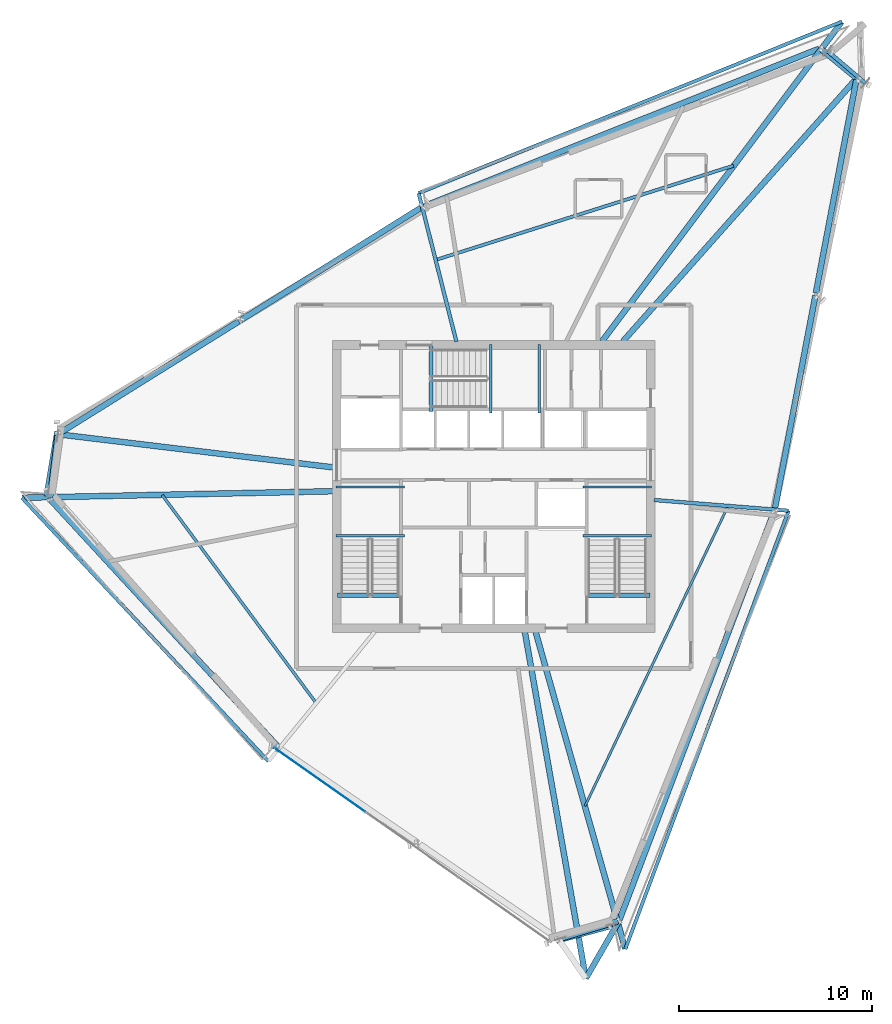
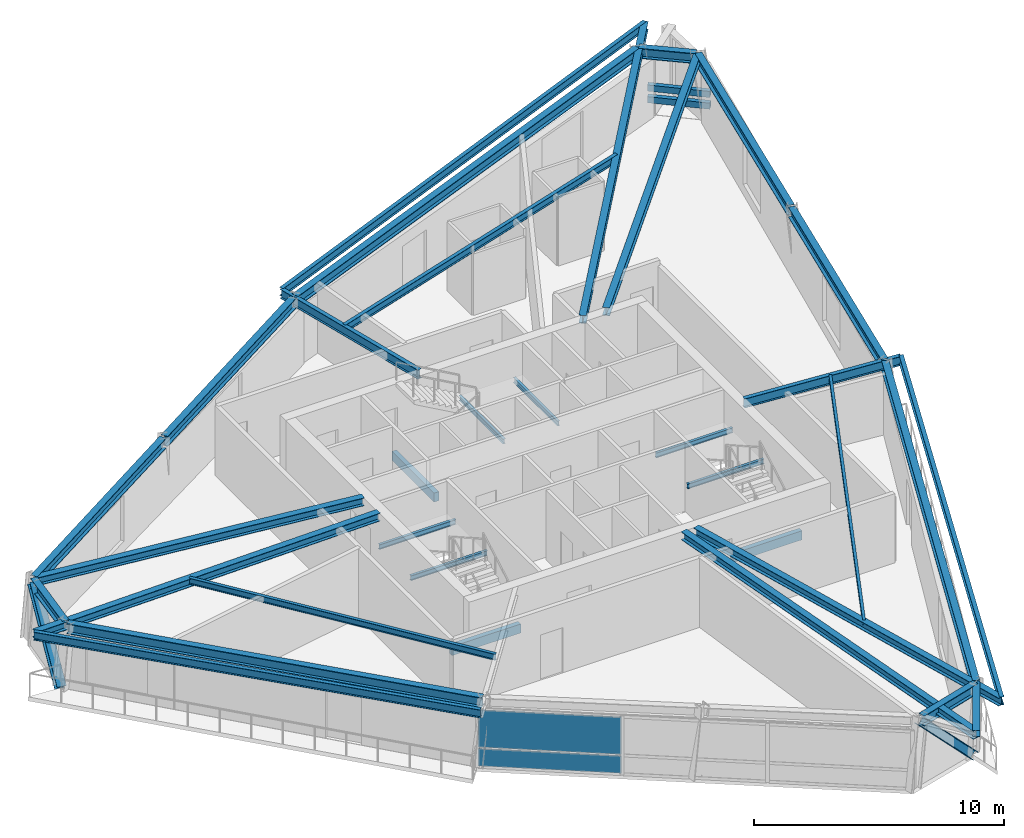
# One storey, part 4 of 13: 34 beams, 4 members, 2 plates, 1 element without a shape of its own.
"""IFC4 building model written with IfcOpenShell, lengths in metres."""

from ifc_helpers import new_model, si_unit, direction, frame, origin, origin_2d, place, context, subcontext, project, spatial, rectangle, hollow_rectangle, i_section, extrude, source, transform, mapped, material, material_profile, profile_set, type_object, element, aggregate, save


model = new_model("IFC4")

# Units and contexts
model_context = context("Model", 3, precision=1e-05, world=origin(), true_north=direction((0.0, 1.0)))
body_context = subcontext(model_context, "Body", "Model", "MODEL_VIEW")
ifc_project = project(units=[si_unit("LENGTHUNIT", "METRE"), si_unit("AREAUNIT", "SQUARE_METRE"), si_unit("VOLUMEUNIT", "CUBIC_METRE"), si_unit("PLANEANGLEUNIT", "RADIAN"), si_unit("MASSUNIT", "GRAM", prefix="KILO")], contexts=[model_context])

# Site, building, storey
site_placement = place(None, origin())
site = spatial("IfcSite", under=ifc_project, at=site_placement, CompositionType="ELEMENT")
building_placement = place(site_placement, origin())
building = spatial("IfcBuilding", under=site, at=building_placement, Name="Olszyna Solenne Hotel", CompositionType="ELEMENT")
storey_placement = place(building_placement, frame((0.0, 0.0, 238.10009765625)))
storey = spatial("IfcBuildingStorey", under=building, at=storey_placement, Name="L63", CompositionType="ELEMENT", Elevation=238.10009765625)

# Beams
ifc_material_1 = material(Name="Steel S355J2", Category="steel")
ifc_material_profile_1 = material_profile(ifc_material_1, i_section(OverallWidth=0.300048828125, OverallDepth=0.5, WebThickness=0.014404296875, FlangeThickness=0.028076171875, at=origin_2d()), Name="HEB 500", Category="load-bearing")
ifc_profile_set_1 = profile_set([ifc_material_profile_1], Name="Steel S355J2")
beam_type_1 = type_object("IfcBeamType", Name="BM-S3", PredefinedType="BEAM", material=ifc_profile_set_1)
shared_shape_1 = source(origin(), body_context, "Body", "SweptSolid", [
    extrude(i_section(OverallWidth=0.300048828125, OverallDepth=0.5, WebThickness=0.014404296875, FlangeThickness=0.028076171875, at=origin_2d()), origin(), (0.0, 0.0, 1.0), 2.323974609375),
])
beam_1_placement = place(storey_placement, frame((56.729736328125, 47.763916015625, 3.1298828125), z_axis=(-0.772227325482, 0.635346329005, 0.0), x_axis=(-0.635346329005, -0.772227325482, 0.0)))
element("IfcBeam", 1, at=beam_1_placement, inside=storey, type_object=beam_type_1, Name="Perimeter spandrel beam BM-S3 B-L63-1854", PredefinedType="BEAM", context=body_context, shape_type="MappedRepresentation", body=[
    mapped(shared_shape_1, transform((0.0, 0.0, 0.0), x_axis=(1.0, 0.0, 0.0), y_axis=(0.0, 1.0, 0.0), z_axis=(0.0, 0.0, 1.0), scale=1.0)),
])
shared_shape_2 = source(origin(), body_context, "Body", "SweptSolid", [
    extrude(i_section(OverallWidth=0.300048828125, OverallDepth=0.5, WebThickness=0.014404296875, FlangeThickness=0.028076171875, at=origin_2d()), origin(), (0.0, 0.0, 1.0), 22.068359375),
])
beam_2_placement = place(storey_placement, frame((54.8330078125, 49.25634765625, 3.1298828125), z_axis=(-0.928851592049, -0.37045204811, 0.0), x_axis=(0.37045204811, -0.928851592049, 0.0)))
element("IfcBeam", 2, at=beam_2_placement, inside=storey, type_object=beam_type_1, Name="Perimeter spandrel beam BM-S3 B-L63-1855", PredefinedType="BEAM", context=body_context, shape_type="MappedRepresentation", body=[
    mapped(shared_shape_2, transform((0.0, 0.0, 0.0), x_axis=(1.0, 0.0, 0.0), y_axis=(0.0, 1.0, 0.0), z_axis=(0.0, 0.0, 1.0), scale=1.0)),
])
shared_shape_3 = source(origin(), body_context, "Body", "SweptSolid", [
    extrude(i_section(OverallWidth=0.300048828125, OverallDepth=0.5, WebThickness=0.014404296875, FlangeThickness=0.028076171875, at=origin_2d()), origin(), (0.0, 0.0, 1.0), 10.97412109375),
])
for number, where, z_axis, x_axis, name in (
    (3, (34.22802734375, 41.027099609375, 3.1298828125), (-0.848381776619, -0.529384889378, 0.0), (0.529384889378, -0.848381776619, 0.0), "Perimeter spandrel beam BM-S3 B-L63-1856"),
    (4, (24.81591796875, 35.154052734375, 3.1298828125), (-0.848381776619, -0.529384889378, 0.0), (0.529384889378, -0.848381776619, 0.0), "Perimeter spandrel beam BM-S3 B-L63-1857"),
):
    element("IfcBeam", number, at=place(storey_placement, frame(where, z_axis=z_axis, x_axis=x_axis)), inside=storey, type_object=beam_type_1, Name=name, PredefinedType="BEAM", context=body_context, shape_type="MappedRepresentation", body=[
        mapped(shared_shape_3, transform((0.0, 0.0, 0.0), x_axis=(1.0, 0.0, 0.0), y_axis=(0.0, 1.0, 0.0), z_axis=(0.0, 0.0, 1.0), scale=1.0)),
    ])
shared_shape_4 = source(origin(), body_context, "Body", "SweptSolid", [
    extrude(i_section(OverallWidth=0.300048828125, OverallDepth=0.5, WebThickness=0.014404296875, FlangeThickness=0.028076171875, at=origin_2d()), origin(), (0.0, 0.0, 1.0), 3.267333984375),
])
beam_3_placement = place(storey_placement, frame((15.447265625, 29.253173828125, 3.1298828125), z_axis=(-0.121799607023, -0.992554711706, 0.0), x_axis=(0.992554711706, -0.121799607023, 0.0)))
element("IfcBeam", 5, at=beam_3_placement, inside=storey, type_object=beam_type_1, Name="Perimeter spandrel beam BM-S3 B-L63-1858", PredefinedType="BEAM", context=body_context, shape_type="MappedRepresentation", body=[
    mapped(shared_shape_4, transform((0.0, 0.0, 0.0), x_axis=(1.0, 0.0, 0.0), y_axis=(0.0, 1.0, 0.0), z_axis=(0.0, 0.0, 1.0), scale=1.0)),
])
shared_shape_5 = source(origin(), body_context, "Body", "SweptSolid", [
    extrude(i_section(OverallWidth=0.300048828125, OverallDepth=0.5, WebThickness=0.014404296875, FlangeThickness=0.028076171875, at=origin_2d()), origin(), (0.0, 0.0, 1.0), 17.3857421875),
])
beam_4_placement = place(storey_placement, frame((15.08251953125, 25.906494140625, 3.1298828125), z_axis=(0.677762604318, -0.735280798191, 0.0), x_axis=(0.735280798191, 0.677762604318, 0.0)))
element("IfcBeam", 6, at=beam_4_placement, inside=storey, type_object=beam_type_1, Name="Perimeter spandrel beam BM-S3 B-L63-1859", PredefinedType="BEAM", context=body_context, shape_type="MappedRepresentation", body=[
    mapped(shared_shape_5, transform((0.0, 0.0, 0.0), x_axis=(1.0, 0.0, 0.0), y_axis=(0.0, 1.0, 0.0), z_axis=(0.0, 0.0, 1.0), scale=1.0)),
])
shared_shape_6 = source(origin(), body_context, "Body", "SweptSolid", [
    extrude(i_section(OverallWidth=0.300048828125, OverallDepth=0.5, WebThickness=0.014404296875, FlangeThickness=0.028076171875, at=origin_2d()), origin(), (0.0, 0.0, 1.0), 3.142822265625),
])
beam_5_placement = place(storey_placement, frame((41.4140625, 3.214599609375, 3.1298828125), z_axis=(0.957804902519, 0.287419151607, 0.0), x_axis=(-0.287419151607, 0.957804902519, 0.0)))
element("IfcBeam", 7, at=beam_5_placement, inside=storey, type_object=beam_type_1, Name="Perimeter spandrel beam BM-S3 B-L63-1862", PredefinedType="BEAM", context=body_context, shape_type="MappedRepresentation", body=[
    mapped(shared_shape_6, transform((0.0, 0.0, 0.0), x_axis=(1.0, 0.0, 0.0), y_axis=(0.0, 1.0, 0.0), z_axis=(0.0, 0.0, 1.0), scale=1.0)),
])
shared_shape_7 = source(origin(), body_context, "Body", "SweptSolid", [
    extrude(i_section(OverallWidth=0.300048828125, OverallDepth=0.5, WebThickness=0.014404296875, FlangeThickness=0.028076171875, at=origin_2d()), origin(), (0.0, 0.0, 1.0), 22.61181640625),
])
beam_6_placement = place(storey_placement, frame((44.503173828125, 4.191162109375, 3.1298828125), z_axis=(0.354099874874, 0.935207612573, 0.0), x_axis=(-0.935207612573, 0.354099874874, 0.0)))
element("IfcBeam", 8, at=beam_6_placement, inside=storey, type_object=beam_type_1, Name="Perimeter spandrel beam BM-S3 B-L63-1863", PredefinedType="BEAM", context=body_context, shape_type="MappedRepresentation", body=[
    mapped(shared_shape_7, transform((0.0, 0.0, 0.0), x_axis=(1.0, 0.0, 0.0), y_axis=(0.0, 1.0, 0.0), z_axis=(0.0, 0.0, 1.0), scale=1.0)),
])
shared_shape_8 = source(origin(), body_context, "Body", "SweptSolid", [
    extrude(i_section(OverallWidth=0.300048828125, OverallDepth=0.5, WebThickness=0.014404296875, FlangeThickness=0.028076171875, at=origin_2d()), origin(), (0.0, 0.0, 1.0), 11.245849609375),
])
for number, where, z_axis, x_axis, name in (
    (9, (52.54248046875, 25.452880859375, 3.1298828125), (0.186722037571, 0.982412785282, 0.0), (-0.982412785282, 0.186722037571, 0.0), "Perimeter spandrel beam BM-S3 B-L63-1864"),
    (10, (54.664794921875, 36.61865234375, 3.1298828125), (0.186742989886, 0.982408802754, 0.0), (-0.982408802754, 0.186742989886, 0.0), "Perimeter spandrel beam BM-S3 B-L63-1865"),
):
    element("IfcBeam", number, at=place(storey_placement, frame(where, z_axis=z_axis, x_axis=x_axis)), inside=storey, type_object=beam_type_1, Name=name, PredefinedType="BEAM", context=body_context, shape_type="MappedRepresentation", body=[
        mapped(shared_shape_8, transform((0.0, 0.0, 0.0), x_axis=(1.0, 0.0, 0.0), y_axis=(0.0, 1.0, 0.0), z_axis=(0.0, 0.0, 1.0), scale=1.0)),
    ])
ifc_material_profile_2 = material_profile(ifc_material_1, i_section(OverallWidth=0.300048828125, OverallDepth=0.389892578125, WebThickness=0.010986328125, FlangeThickness=0.01904296875, at=origin_2d()), Name="HEA 400", Category="load-bearing")
ifc_profile_set_2 = profile_set([ifc_material_profile_2], Name="Steel S355J2")
beam_type_2 = type_object("IfcBeamType", Name="BM-G2", PredefinedType="BEAM", material=ifc_profile_set_2)
shared_shape_9 = source(origin(), body_context, "Body", "SweptSolid", [
    extrude(i_section(OverallWidth=0.300048828125, OverallDepth=0.389892578125, WebThickness=0.010986328125, FlangeThickness=0.01904296875, at=origin_2d()), origin(), (0.0, 0.0, 1.0), 18.15283203125),
])
beam_7_placement = place(storey_placement, frame((56.736083984375, 47.680908203125, 3.184814453125), z_axis=(-0.664312080826, -0.74745532259, 0.0), x_axis=(0.74745532259, -0.664312080826, 0.0)))
element("IfcBeam", 11, at=beam_7_placement, inside=storey, type_object=beam_type_2, Name="Radial floor girder BM-G2 B-L63-1866", PredefinedType="BEAM", context=body_context, shape_type="MappedRepresentation", body=[
    mapped(shared_shape_9, transform((0.0, 0.0, 0.0), x_axis=(1.0, 0.0, 0.0), y_axis=(0.0, 1.0, 0.0), z_axis=(0.0, 0.0, 1.0), scale=1.0)),
])
shared_shape_10 = source(origin(), body_context, "Body", "SweptSolid", [
    extrude(i_section(OverallWidth=0.300048828125, OverallDepth=0.389892578125, WebThickness=0.010986328125, FlangeThickness=0.01904296875, at=origin_2d()), origin(), (0.0, 0.0, 1.0), 20.67236328125),
])
beam_8_placement = place(storey_placement, frame((56.001953125, 50.643310546875, 3.184814453125), z_axis=(-0.600289068936, -0.799783116674, 0.0), x_axis=(0.799783116674, -0.600289068936, 0.0)))
element("IfcBeam", 12, at=beam_8_placement, inside=storey, type_object=beam_type_2, Name="Radial floor girder BM-G2 B-L63-1867", PredefinedType="BEAM", context=body_context, shape_type="MappedRepresentation", body=[
    mapped(shared_shape_10, transform((0.0, 0.0, 0.0), x_axis=(1.0, 0.0, 0.0), y_axis=(0.0, 1.0, 0.0), z_axis=(0.0, 0.0, 1.0), scale=1.0)),
])
ifc_material_profile_3 = material_profile(ifc_material_1, i_section(OverallWidth=0.18994140625, OverallDepth=0.449951171875, WebThickness=0.009521484375, FlangeThickness=0.0146484375, at=origin_2d()), Name="IPE 450", Category="load-bearing")
ifc_profile_set_3 = profile_set([ifc_material_profile_3], Name="Steel S355J2")
beam_type_3 = type_object("IfcBeamType", Name="BM-F4", PredefinedType="BEAM", material=ifc_profile_set_3)
shared_shape_11 = source(origin(), body_context, "Body", "SweptSolid", [
    extrude(i_section(OverallWidth=0.18994140625, OverallDepth=0.449951171875, WebThickness=0.009521484375, FlangeThickness=0.0146484375, at=origin_2d()), origin(), (0.0, 0.0, 1.0), 7.910400390625),
])
beam_9_placement = place(storey_placement, frame((34.12158203125, 41.768310546875, 3.15478515625), z_axis=(0.246259233236, -0.969203998158, 0.0), x_axis=(0.969203998158, 0.246259233236, 0.0)))
element("IfcBeam", 13, at=beam_9_placement, inside=storey, type_object=beam_type_3, Name="Radial floor girder BM-F4 B-L63-1868", PredefinedType="BEAM", context=body_context, shape_type="MappedRepresentation", body=[
    mapped(shared_shape_11, transform((0.0, 0.0, 0.0), x_axis=(1.0, 0.0, 0.0), y_axis=(0.0, 1.0, 0.0), z_axis=(0.0, 0.0, 1.0), scale=1.0)),
])
shared_shape_12 = source(origin(), body_context, "Body", "SweptSolid", [
    extrude(i_section(OverallWidth=0.300048828125, OverallDepth=0.389892578125, WebThickness=0.010986328125, FlangeThickness=0.01904296875, at=origin_2d()), origin(), (0.0, 0.0, 1.0), 14.287841796875),
])
beam_10_placement = place(storey_placement, frame((15.51416015625, 29.305419921875, 3.184814453125), z_axis=(0.992839353779, -0.119457178891, 0.0), x_axis=(0.119457178891, 0.992839353779, 0.0)))
element("IfcBeam", 14, at=beam_10_placement, inside=storey, type_object=beam_type_2, Name="Radial floor girder BM-G2 B-L63-1869", PredefinedType="BEAM", context=body_context, shape_type="MappedRepresentation", body=[
    mapped(shared_shape_12, transform((0.0, 0.0, 0.0), x_axis=(1.0, 0.0, 0.0), y_axis=(0.0, 1.0, 0.0), z_axis=(0.0, 0.0, 1.0), scale=1.0)),
])
shared_shape_13 = source(origin(), body_context, "Body", "SweptSolid", [
    extrude(i_section(OverallWidth=0.300048828125, OverallDepth=0.389892578125, WebThickness=0.010986328125, FlangeThickness=0.01904296875, at=origin_2d()), origin(), (0.0, 0.0, 1.0), 16.091064453125),
])
beam_11_placement = place(storey_placement, frame((13.6123046875, 26.02783203125, 3.184814453125), z_axis=(0.999780144202, 0.020968148711, 0.0), x_axis=(-0.020968148711, 0.999780144202, 0.0)))
element("IfcBeam", 15, at=beam_11_placement, inside=storey, type_object=beam_type_2, Name="Radial floor girder BM-G2 B-L63-1870", PredefinedType="BEAM", context=body_context, shape_type="MappedRepresentation", body=[
    mapped(shared_shape_13, transform((0.0, 0.0, 0.0), x_axis=(1.0, 0.0, 0.0), y_axis=(0.0, 1.0, 0.0), z_axis=(0.0, 0.0, 1.0), scale=1.0)),
])
shared_shape_14 = source(origin(), body_context, "Body", "SweptSolid", [
    extrude(i_section(OverallWidth=0.300048828125, OverallDepth=0.389892578125, WebThickness=0.010986328125, FlangeThickness=0.01904296875, at=origin_2d()), origin(), (0.0, 0.0, 1.0), 18.18798828125),
])
beam_12_placement = place(storey_placement, frame((42.76171875, 1.186279296875, 3.184814453125), z_axis=(-0.173347305737, 0.984860757465, 0.0), x_axis=(-0.984860757465, -0.173347305737, 0.0)))
element("IfcBeam", 16, at=beam_12_placement, inside=storey, type_object=beam_type_2, Name="Radial floor girder BM-G2 B-L63-1872", PredefinedType="BEAM", context=body_context, shape_type="MappedRepresentation", body=[
    mapped(shared_shape_14, transform((0.0, 0.0, 0.0), x_axis=(1.0, 0.0, 0.0), y_axis=(0.0, 1.0, 0.0), z_axis=(0.0, 0.0, 1.0), scale=1.0)),
])
shared_shape_15 = source(origin(), body_context, "Body", "SweptSolid", [
    extrude(i_section(OverallWidth=0.300048828125, OverallDepth=0.389892578125, WebThickness=0.010986328125, FlangeThickness=0.01904296875, at=origin_2d()), origin(), (0.0, 0.0, 1.0), 17.0439453125),
])
beam_13_placement = place(storey_placement, frame((44.80126953125, 2.69677734375, 3.184814453125), z_axis=(-0.272044955224, 0.962284543333, 0.0), x_axis=(-0.962284543333, -0.272044955224, 0.0)))
element("IfcBeam", 17, at=beam_13_placement, inside=storey, type_object=beam_type_2, Name="Radial floor girder BM-G2 B-L63-1873", PredefinedType="BEAM", context=body_context, shape_type="MappedRepresentation", body=[
    mapped(shared_shape_15, transform((0.0, 0.0, 0.0), x_axis=(1.0, 0.0, 0.0), y_axis=(0.0, 1.0, 0.0), z_axis=(0.0, 0.0, 1.0), scale=1.0)),
])
shared_shape_16 = source(origin(), body_context, "Body", "SweptSolid", [
    extrude(i_section(OverallWidth=0.18994140625, OverallDepth=0.449951171875, WebThickness=0.009521484375, FlangeThickness=0.0146484375, at=origin_2d()), origin(), (0.0, 0.0, 1.0), 6.9580078125),
])
beam_14_placement = place(storey_placement, frame((53.236083984375, 25.35693359375, 3.15478515625), z_axis=(-0.99682286068, 0.079650388741, 0.0), x_axis=(-0.079650388741, -0.99682286068, 0.0)))
element("IfcBeam", 18, at=beam_14_placement, inside=storey, type_object=beam_type_3, Name="Radial floor girder BM-F4 B-L63-1874", PredefinedType="BEAM", context=body_context, shape_type="MappedRepresentation", body=[
    mapped(shared_shape_16, transform((0.0, 0.0, 0.0), x_axis=(1.0, 0.0, 0.0), y_axis=(0.0, 1.0, 0.0), z_axis=(0.0, 0.0, 1.0), scale=1.0)),
])
ifc_material_profile_4 = material_profile(ifc_material_1, i_section(OverallWidth=0.300048828125, OverallDepth=0.31005859375, WebThickness=0.009033203125, FlangeThickness=0.015380859375, at=origin_2d()), Name="HEA 320", Category="load-bearing")
ifc_profile_set_4 = profile_set([ifc_material_profile_4], Name="Steel S355J2")
beam_type_4 = type_object("IfcBeamType", Name="BM-G3", PredefinedType="BEAM", material=ifc_profile_set_4)
shared_shape_17 = source(origin(), body_context, "Body", "SweptSolid", [
    extrude(i_section(OverallWidth=0.300048828125, OverallDepth=0.31005859375, WebThickness=0.009033203125, FlangeThickness=0.015380859375, at=origin_2d()), origin(), (0.0, 0.0, 1.0), 3.42919921875),
])
beam_15_placement = place(storey_placement, frame((44.48193359375, 4.135009765625, 3.224853515625), z_axis=(-0.500640512014, -0.865655288051, 0.0), x_axis=(0.865655288051, -0.500640512014, 0.0)))
element("IfcBeam", 19, at=beam_15_placement, inside=storey, type_object=beam_type_4, Name="Prism side edge beam BM-G3 B-L63-1876", PredefinedType="BEAM", context=body_context, shape_type="MappedRepresentation", body=[
    mapped(shared_shape_17, transform((0.0, 0.0, 0.0), x_axis=(1.0, 0.0, 0.0), y_axis=(0.0, 1.0, 0.0), z_axis=(0.0, 0.0, 1.0), scale=1.0)),
])
ifc_material_profile_5 = material_profile(ifc_material_1, i_section(OverallWidth=0.169921875, OverallDepth=0.360107421875, WebThickness=0.008056640625, FlangeThickness=0.0126953125, at=origin_2d()), Name="IPE 360", Category="load-bearing")
ifc_profile_set_5 = profile_set([ifc_material_profile_5], Name="Steel S355J2")
beam_type_5 = type_object("IfcBeamType", Name="JS-01", PredefinedType="JOIST", material=ifc_profile_set_5)
shared_shape_18 = source(origin(), body_context, "Body", "SweptSolid", [
    extrude(i_section(OverallWidth=0.169921875, OverallDepth=0.360107421875, WebThickness=0.008056640625, FlangeThickness=0.0126953125, at=origin_2d()), origin(), (0.0, 0.0, 1.0), 16.143310546875),
])
beam_16_placement = place(storey_placement, frame((50.4052734375, 43.2060546875, 3.199951171875), z_axis=(-0.953390019318, -0.301740734846, 0.0), x_axis=(0.301740734846, -0.953390019318, 0.0)))
element("IfcBeam", 20, at=beam_16_placement, inside=storey, type_object=beam_type_5, Name="Secondary composite floor joist JS-01 B-L63-1877", PredefinedType="JOIST", context=body_context, shape_type="MappedRepresentation", body=[
    mapped(shared_shape_18, transform((0.0, 0.0, 0.0), x_axis=(1.0, 0.0, 0.0), y_axis=(0.0, 1.0, 0.0), z_axis=(0.0, 0.0, 1.0), scale=1.0)),
])
ifc_material_profile_6 = material_profile(ifc_material_1, i_section(OverallWidth=0.14990234375, OverallDepth=0.300048828125, WebThickness=0.007080078125, FlangeThickness=0.0107421875, at=origin_2d()), Name="IPE 300", Category="load-bearing")
ifc_profile_set_6 = profile_set([ifc_material_profile_6], Name="Steel S355J2")
beam_type_6 = type_object("IfcBeamType", Name="JS-02", PredefinedType="JOIST", material=ifc_profile_set_6)
shared_shape_19 = source(origin(), body_context, "Body", "SweptSolid", [
    extrude(i_section(OverallWidth=0.14990234375, OverallDepth=0.300048828125, WebThickness=0.007080078125, FlangeThickness=0.0107421875, at=origin_2d()), origin(), (0.0, 0.0, 1.0), 13.365966796875),
])
beam_17_placement = place(storey_placement, frame((20.8525390625, 26.163330078125, 3.22998046875), z_axis=(0.594917359669, -0.803786871729, 0.0), x_axis=(0.803786871729, 0.594917359669, 0.0)))
element("IfcBeam", 21, at=beam_17_placement, inside=storey, type_object=beam_type_6, Name="Secondary composite floor joist JS-02 B-L63-1878", PredefinedType="JOIST", context=body_context, shape_type="MappedRepresentation", body=[
    mapped(shared_shape_19, transform((0.0, 0.0, 0.0), x_axis=(1.0, 0.0, 0.0), y_axis=(0.0, 1.0, 0.0), z_axis=(0.0, 0.0, 1.0), scale=1.0)),
])
ifc_material_profile_7 = material_profile(ifc_material_1, i_section(OverallWidth=0.1201171875, OverallDepth=0.239990234375, WebThickness=0.006103515625, FlangeThickness=0.009765625, at=origin_2d()), Name="IPE 240", Category="load-bearing")
ifc_profile_set_7 = profile_set([ifc_material_profile_7], Name="Steel S355J2")
beam_type_7 = type_object("IfcBeamType", Name="JS-03", PredefinedType="JOIST", material=ifc_profile_set_7)
shared_shape_20 = source(origin(), body_context, "Body", "SweptSolid", [
    extrude(i_section(OverallWidth=0.1201171875, OverallDepth=0.239990234375, WebThickness=0.006103515625, FlangeThickness=0.009765625, at=origin_2d()), origin(), (0.0, 0.0, 1.0), 17.174072265625),
])
beam_18_placement = place(storey_placement, frame((42.726318359375, 10.0849609375, 3.260009765625), z_axis=(0.430349045732, 0.902662560893, 0.0), x_axis=(-0.902662560893, 0.430349045732, 0.0)))
element("IfcBeam", 22, at=beam_18_placement, inside=storey, type_object=beam_type_7, Name="Secondary composite floor joist JS-03 B-L63-1879", PredefinedType="JOIST", context=body_context, shape_type="MappedRepresentation", body=[
    mapped(shared_shape_20, transform((0.0, 0.0, 0.0), x_axis=(1.0, 0.0, 0.0), y_axis=(0.0, 1.0, 0.0), z_axis=(0.0, 0.0, 1.0), scale=1.0)),
])
ifc_material_profile_8 = material_profile(ifc_material_1, i_section(OverallWidth=0.179931640625, OverallDepth=0.39990234375, WebThickness=0.008544921875, FlangeThickness=0.013427734375, at=origin_2d()), Name="IPE 400", Category="load-bearing")
ifc_profile_set_8 = profile_set([ifc_material_profile_8], Name="Steel S355J2")
beam_type_8 = type_object("IfcBeamType", Name="BM-F5", PredefinedType="BEAM", material=ifc_profile_set_8)
shared_shape_21 = source(origin(), body_context, "Body", "SweptSolid", [
    extrude(i_section(OverallWidth=0.179931640625, OverallDepth=0.39990234375, WebThickness=0.008544921875, FlangeThickness=0.013427734375, at=origin_2d()), origin(), (0.0, 0.0, 1.0), 23.626220703125),
])
beam_19_placement = place(storey_placement, frame((56.013916015625, 50.6591796875, 3.179931640625), z_axis=(-0.926822775599, -0.375499058096, 0.0), x_axis=(0.375499058096, -0.926822775599, 0.0)))
element("IfcBeam", 23, at=beam_19_placement, inside=storey, type_object=beam_type_8, Name="Loggia outer edge beam BM-F5 B-L63-1880", PredefinedType="BEAM", context=body_context, shape_type="MappedRepresentation", body=[
    mapped(shared_shape_21, transform((0.0, 0.0, 0.0), x_axis=(1.0, 0.0, 0.0), y_axis=(0.0, 1.0, 0.0), z_axis=(0.0, 0.0, 1.0), scale=1.0)),
])
shared_shape_22 = source(origin(), body_context, "Body", "SweptSolid", [
    extrude(i_section(OverallWidth=0.179931640625, OverallDepth=0.39990234375, WebThickness=0.008544921875, FlangeThickness=0.013427734375, at=origin_2d()), origin(), (0.0, 0.0, 1.0), 18.67138671875),
])
beam_20_placement = place(storey_placement, frame((13.59228515625, 26.02734375, 3.179931640625), z_axis=(0.682955779448, -0.730459720531, 0.0), x_axis=(0.730459720531, 0.682955779448, 0.0)))
element("IfcBeam", 24, at=beam_20_placement, inside=storey, type_object=beam_type_8, Name="Loggia outer edge beam BM-F5 B-L63-1881", PredefinedType="BEAM", context=body_context, shape_type="MappedRepresentation", body=[
    mapped(shared_shape_22, transform((0.0, 0.0, 0.0), x_axis=(1.0, 0.0, 0.0), y_axis=(0.0, 1.0, 0.0), z_axis=(0.0, 0.0, 1.0), scale=1.0)),
])
shared_shape_23 = source(origin(), body_context, "Body", "SweptSolid", [
    extrude(i_section(OverallWidth=0.179931640625, OverallDepth=0.39990234375, WebThickness=0.008544921875, FlangeThickness=0.013427734375, at=origin_2d()), origin(), (0.0, 0.0, 1.0), 24.200927734375),
])
beam_21_placement = place(storey_placement, frame((44.806640625, 2.677490234375, 3.179931640625), z_axis=(0.349138204175, 0.937071242961, 0.0), x_axis=(-0.937071242961, 0.349138204175, 0.0)))
element("IfcBeam", 25, at=beam_21_placement, inside=storey, type_object=beam_type_8, Name="Loggia outer edge beam BM-F5 B-L63-1882", PredefinedType="BEAM", context=body_context, shape_type="MappedRepresentation", body=[
    mapped(shared_shape_23, transform((0.0, 0.0, 0.0), x_axis=(1.0, 0.0, 0.0), y_axis=(0.0, 1.0, 0.0), z_axis=(0.0, 0.0, 1.0), scale=1.0)),
])

# Members
ifc_material_profile_9 = material_profile(ifc_material_1, hollow_rectangle(XDim=0.199951171875, YDim=0.300048828125, WallThickness=0.01611328125, at=origin_2d()), Name="RHS 300x200x16", Category="load-bearing")
ifc_profile_set_9 = profile_set([ifc_material_profile_9], Name="Steel S355J2")
member_type_1 = type_object("IfcMemberType", Name="CH-PR1", PredefinedType="CHORD", material=ifc_profile_set_9)
shared_shape_24 = source(origin(), body_context, "Body", "SweptSolid", [
    extrude(hollow_rectangle(XDim=0.199951171875, YDim=0.300048828125, WallThickness=0.01611328125, at=origin_2d()), origin(), (0.0, 0.0, 1.0), 2.542236328125),
])
for number, where, z_axis, x_axis, name in (
    (26, (57.2158203125, 47.4833984375, 1.349853515625), (-0.762109890975, 0.647447692156, 0.0), (-0.647447692156, -0.762109890975, 0.0), "Glass-prism tie chord CH-PR1 M-L63-PR1"),
    (27, (57.2158203125, 47.4833984375, 0.77978515625), (-0.762109890975, 0.647447692156, 0.0), (-0.647447692156, -0.762109890975, 0.0), "Glass-prism tie chord CH-PR1 M-L63-PR2"),
):
    element("IfcMember", number, at=place(storey_placement, frame(where, z_axis=z_axis, x_axis=x_axis)), inside=storey, type_object=member_type_1, Name=name, PredefinedType="CHORD", context=body_context, shape_type="MappedRepresentation", body=[
        mapped(shared_shape_24, transform((0.0, 0.0, 0.0), x_axis=(1.0, 0.0, 0.0), y_axis=(0.0, 1.0, 0.0), z_axis=(0.0, 0.0, 1.0), scale=1.0)),
    ])
ifc_material_2 = material(Name="Steel S460M", Category="steel")
ifc_material_profile_10 = material_profile(ifc_material_2, i_section(OverallWidth=0.40087890625, OverallDepth=0.39892578125, WebThickness=0.02197265625, FlangeThickness=0.034423828125, at=origin_2d()), Name="HD 400x314", Category="load-bearing")
ifc_profile_set_10 = profile_set([ifc_material_profile_10], Name="Steel S460M")
member_type_2 = type_object("IfcMemberType", Name="BR-T3", PredefinedType="BRACE", material=ifc_profile_set_10)
shared_shape_25 = source(origin(), body_context, "Body", "SweptSolid", [
    extrude(i_section(OverallWidth=0.40087890625, OverallDepth=0.39892578125, WebThickness=0.02197265625, FlangeThickness=0.034423828125, at=origin_2d()), origin(), (0.0, 0.0, 1.0), 4.3896484375),
])
member_1_placement = place(storey_placement, frame((14.9423828125, 26.242431640625, 0.010009765625), z_axis=(0.116688218135, 0.699461883351, 0.705079380983), x_axis=(-0.986368474422, 0.164551610952, 0.0)))
element("IfcMember", 28, at=member_1_placement, inside=storey, type_object=member_type_2, Name="Perimeter braced-tube diagonal BR-T3 BR-L63-2", PredefinedType="BRACE", context=body_context, shape_type="MappedRepresentation", body=[
    mapped(shared_shape_25, transform((0.0, 0.0, 0.0), x_axis=(1.0, 0.0, 0.0), y_axis=(0.0, 1.0, 0.0), z_axis=(0.0, 0.0, 1.0), scale=1.0)),
])
shared_shape_26 = source(origin(), body_context, "Body", "SweptSolid", [
    extrude(i_section(OverallWidth=0.40087890625, OverallDepth=0.39892578125, WebThickness=0.02197265625, FlangeThickness=0.034423828125, at=origin_2d()), origin(), (0.0, 0.0, 1.0), 4.273681640625),
])
member_2_placement = place(storey_placement, frame((44.201416015625, 3.968017578125, 0.010009765625), z_axis=(-0.665626719895, -0.180288184688, 0.724180392045), x_axis=(0.261434769785, -0.965221146239, 0.0)))
element("IfcMember", 29, at=member_2_placement, inside=storey, type_object=member_type_2, Name="Perimeter braced-tube diagonal BR-T3 BR-L63-3", PredefinedType="BRACE", context=body_context, shape_type="MappedRepresentation", body=[
    mapped(shared_shape_26, transform((0.0, 0.0, 0.0), x_axis=(1.0, 0.0, 0.0), y_axis=(0.0, 1.0, 0.0), z_axis=(0.0, 0.0, 1.0), scale=1.0)),
])

# Beams
shared_shape_27 = source(origin(), body_context, "Body", "SweptSolid", [
    extrude(i_section(OverallWidth=0.1201171875, OverallDepth=0.239990234375, WebThickness=0.006103515625, FlangeThickness=0.009765625, at=origin_2d()), origin(), (0.0, 0.0, 1.0), 3.539794921875),
])
for number, where, z_axis, x_axis, name in (
    (30, (33.3798828125, 24.070068359375, 1.474853515625), (-1.0, 0.0, 0.0), (0.0, -1.0, 0.0), "Stair landing support beam JS-03 SLB-ST1-0131"),
    (31, (33.3798828125, 26.580078125, 1.474853515625), (-1.0, 0.0, 0.0), (0.0, -1.0, 0.0), "Stair landing support beam JS-03 SLB-ST1-0132"),
    (32, (46.159912109375, 24.070068359375, 1.474853515625), (-1.0, 0.0, 0.0), (0.0, -1.0, 0.0), "Stair landing support beam JS-03 SLB-ST2-0371"),
    (33, (46.159912109375, 26.580078125, 1.474853515625), (-1.0, 0.0, 0.0), (0.0, -1.0, 0.0), "Stair landing support beam JS-03 SLB-ST2-0372"),
):
    element("IfcBeam", number, at=place(storey_placement, frame(where, z_axis=z_axis, x_axis=x_axis)), inside=storey, type_object=beam_type_7, Name=name, PredefinedType="JOIST", context=body_context, shape_type="MappedRepresentation", body=[
        mapped(shared_shape_27, transform((0.0, 0.0, 0.0), x_axis=(1.0, 0.0, 0.0), y_axis=(0.0, 1.0, 0.0), z_axis=(0.0, 0.0, 1.0), scale=1.0)),
    ])
ifc_material_3 = material(Name="Concrete C50/60", Category="concrete")
ifc_material_profile_11 = material_profile(ifc_material_3, rectangle(XDim=0.219970703125, YDim=0.43994140625, at=origin_2d()), Name="RC 220x440", Category="load-bearing")
ifc_profile_set_11 = profile_set([ifc_material_profile_11], Name="Concrete C50/60")
beam_type_9 = type_object("IfcBeamType", Name="BM-ST1", PredefinedType="BEAM", material=ifc_profile_set_11)
shared_shape_28 = source(origin(), body_context, "Body", "SweptSolid", [
    extrude(rectangle(XDim=0.219970703125, YDim=0.43994140625, at=origin_2d()), origin(), (0.0, 0.0, 1.0), 3.18017578125),
])
for number, where, z_axis, x_axis, name in (
    (34, (33.10009765625, 20.97998046875, -0.205078125), (-1.0, 0.0, 0.0), (0.0, -1.0, 0.0), "Concrete stair trimmer beam BM-ST1 SHB-ST1-0225"),
    (35, (46.080078125, 20.97998046875, -0.205078125), (-1.0, 0.0, 0.0), (0.0, -1.0, 0.0), "Concrete stair trimmer beam BM-ST1 SHB-ST2-0465"),
):
    element("IfcBeam", number, at=place(storey_placement, frame(where, z_axis=z_axis, x_axis=x_axis)), inside=storey, type_object=beam_type_9, Name=name, PredefinedType="BEAM", context=body_context, shape_type="MappedRepresentation", body=[
        mapped(shared_shape_28, transform((0.0, 0.0, 0.0), x_axis=(1.0, 0.0, 0.0), y_axis=(0.0, 1.0, 0.0), z_axis=(0.0, 0.0, 1.0), scale=1.0)),
    ])
shared_shape_29 = source(origin(), body_context, "Body", "SweptSolid", [
    extrude(i_section(OverallWidth=0.1201171875, OverallDepth=0.239990234375, WebThickness=0.006103515625, FlangeThickness=0.009765625, at=origin_2d()), origin(), (0.0, 0.0, 1.0), 3.5400390625),
])
for number, where, z_axis, x_axis, name in (
    (36, (37.85009765625, 30.419921875, 1.474853515625), (0.0, 1.0, 0.0), (-1.0, 0.0, 0.0), "Stair landing support beam JS-03 SLB-ST3-0611"),
    (37, (40.360107421875, 30.419921875, 1.474853515625), (0.0, 1.0, 0.0), (-1.0, 0.0, 0.0), "Stair landing support beam JS-03 SLB-ST3-0612"),
):
    element("IfcBeam", number, at=place(storey_placement, frame(where, z_axis=z_axis, x_axis=x_axis)), inside=storey, type_object=beam_type_7, Name=name, PredefinedType="JOIST", context=body_context, shape_type="MappedRepresentation", body=[
        mapped(shared_shape_29, transform((0.0, 0.0, 0.0), x_axis=(1.0, 0.0, 0.0), y_axis=(0.0, 1.0, 0.0), z_axis=(0.0, 0.0, 1.0), scale=1.0)),
    ])
shared_shape_30 = source(origin(), body_context, "Body", "SweptSolid", [
    extrude(rectangle(XDim=0.219970703125, YDim=0.43994140625, at=origin_2d()), origin(), (0.0, 0.0, 1.0), 3.3798828125),
])
beam_22_placement = place(storey_placement, frame((34.760009765625, 30.5, -0.205078125), z_axis=(0.0, 1.0, 0.0), x_axis=(-1.0, 0.0, 0.0)))
element("IfcBeam", 38, at=beam_22_placement, inside=storey, type_object=beam_type_9, Name="Concrete stair trimmer beam BM-ST1 SHB-ST3-0703", PredefinedType="BEAM", context=body_context, shape_type="MappedRepresentation", body=[
    mapped(shared_shape_30, transform((0.0, 0.0, 0.0), x_axis=(1.0, 0.0, 0.0), y_axis=(0.0, 1.0, 0.0), z_axis=(0.0, 0.0, 1.0), scale=1.0)),
])

# Curtain wall, plates
ifc_material_4 = material(Name="Anodised bronze aluminium", Category="aluminium")
curtain_wall_type = type_object("IfcCurtainWallType", Name="CW-SYS-4", PredefinedType="NOTDEFINED", material=ifc_material_4)
curtain_wall_placement = place(storey_placement, origin())
curtain_wall = element("IfcCurtainWall", 39, at=curtain_wall_placement, inside=storey, type_object=curtain_wall_type, Name="Unitised curtain wall CW-SYS-4 CW-L63-01", PredefinedType="NOTDEFINED")
ifc_material_5 = material(Name="Terracotta cladding", Category="masonry")
plate_type_1 = type_object("IfcPlateType", Name="PN-SP1", PredefinedType="CURTAIN_PANEL", material=ifc_material_5)
shared_shape_31 = source(origin(), body_context, "Body", "SweptSolid", [
    extrude(rectangle(XDim=5.748291015625, YDim=0.035888671875, at=origin_2d()), origin(), (0.0, 0.0, 1.0), 0.8525390625),
])
plate_1_placement = place(storey_placement, frame((28.99365234375, 11.4404296875, 0.06494140625), z_axis=(0.0, 0.0, 1.0), x_axis=(0.818031086705, -0.575174009483, 0.0)))
plate_1 = element("IfcPlate", 40, at=plate_1_placement, type_object=plate_type_1, Name="Curtain-wall panel PN-SP1 CP-L63-01-01", PredefinedType="CURTAIN_PANEL", context=body_context, shape_type="MappedRepresentation", body=[
    mapped(shared_shape_31, transform((0.0, 0.0, 0.0), x_axis=(1.0, 0.0, 0.0), y_axis=(0.0, 1.0, 0.0), z_axis=(0.0, 0.0, 1.0), scale=1.0)),
])
ifc_material_6 = material(Name="Low-E triple glazing", Category="glass")
plate_type_2 = type_object("IfcPlateType", Name="PN-GL1", PredefinedType="CURTAIN_PANEL", material=ifc_material_6)
shared_shape_32 = source(origin(), body_context, "Body", "SweptSolid", [
    extrude(rectangle(XDim=5.748291015625, YDim=0.035888671875, at=origin_2d()), origin(), (0.0, 0.0, 1.0), 1.824462890625),
])
plate_2_placement = place(storey_placement, frame((28.99365234375, 11.4404296875, 0.982421875), z_axis=(0.0, 0.0, 1.0), x_axis=(0.818031086705, -0.575174009483, 0.0)))
plate_2 = element("IfcPlate", 41, at=plate_2_placement, type_object=plate_type_2, Name="Curtain-wall panel PN-GL1 CP-L63-01-02", PredefinedType="CURTAIN_PANEL", context=body_context, shape_type="MappedRepresentation", body=[
    mapped(shared_shape_32, transform((0.0, 0.0, 0.0), x_axis=(1.0, 0.0, 0.0), y_axis=(0.0, 1.0, 0.0), z_axis=(0.0, 0.0, 1.0), scale=1.0)),
])
aggregate(curtain_wall, [plate_1, plate_2])

save(model, "model.ifc")
